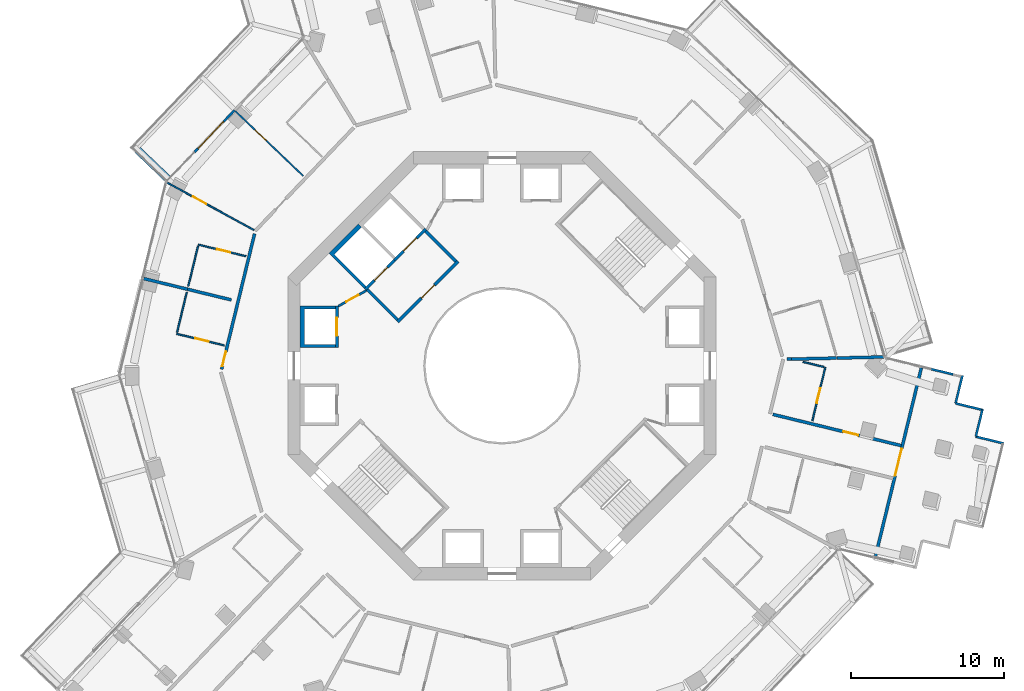
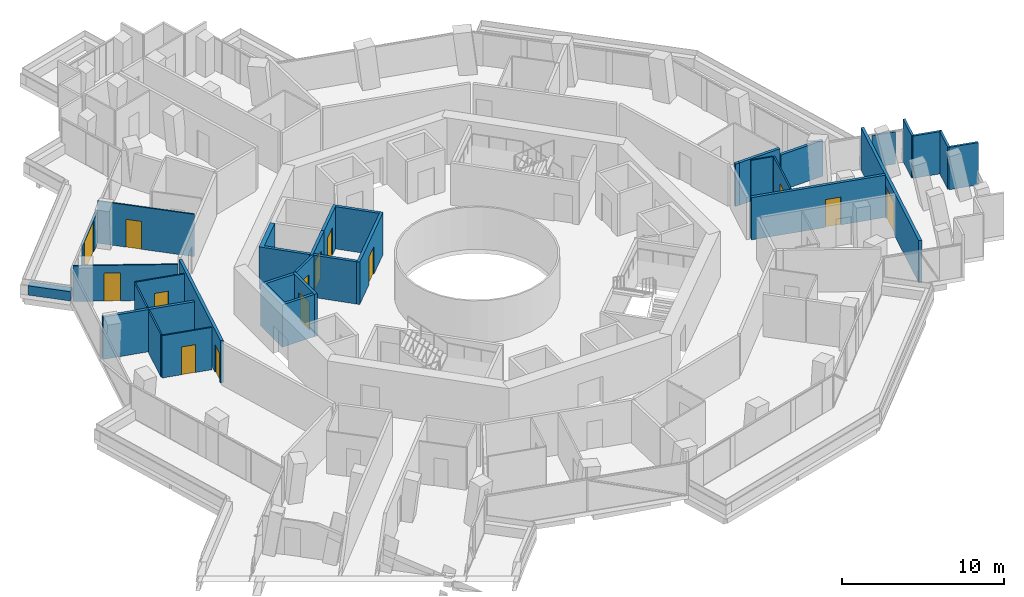
# One storey, part 20 of 25: 32 walls, 14 doors, 14 openings.
"""IFC4 building model written with IfcOpenShell, lengths in metres."""

from ifc_helpers import new_model, si_unit, direction, frame, frame_2d, origin, place, context, subcontext, project, spatial, polyline, rectangle, outline, extrude, material, layer, layer_set, type_object, element, fill, save


model = new_model("IFC4")

# Units and contexts
model_context = context("Model", 3, precision=1e-05, world=origin(), true_north=direction((0.0, 1.0)))
body_context = subcontext(model_context, "Body", "Model", "MODEL_VIEW")
ifc_project = project(units=[si_unit("LENGTHUNIT", "METRE"), si_unit("AREAUNIT", "SQUARE_METRE"), si_unit("VOLUMEUNIT", "CUBIC_METRE"), si_unit("PLANEANGLEUNIT", "RADIAN"), si_unit("MASSUNIT", "GRAM", prefix="KILO")], contexts=[model_context])

# Site, building, storey
site_placement = place(None, origin())
site = spatial("IfcSite", under=ifc_project, at=site_placement, CompositionType="ELEMENT")
building_placement = place(site_placement, origin())
building = spatial("IfcBuilding", under=site, at=building_placement, Name="Verdalira Terraces Hotel", CompositionType="ELEMENT")
storey_placement = place(building_placement, frame((0.0, 0.0, 100.0)))
storey = spatial("IfcBuildingStorey", under=building, at=storey_placement, Name="L23", CompositionType="ELEMENT", Elevation=100.0)

# Walls
ifc_material_1 = material(Name="Concrete C40", Category="concrete")
ifc_layer_1 = layer(ifc_material_1, 0.5)
ifc_layer_set_1 = layer_set([ifc_layer_1], Name="Balcony planter trough with tree")
wall_type_1 = type_object("IfcWallType", Name="Balcony planter trough with tree", PredefinedType="SOLIDWALL", material=ifc_layer_set_1)
wall_1_placement = place(storey_placement, frame((-23.812988, 14.098145, 0.0), z_axis=(0.0, 0.0, 1.0), x_axis=(0.723201505, -0.690637085, 0.0)))
element("IfcWall", 1, at=wall_1_placement, inside=storey, type_object=wall_type_1, Name="Balcony planter", PredefinedType="SOLIDWALL", context=body_context, shape_type="SweptSolid", body=[
    extrude(rectangle(XDim=2.698975, YDim=0.5, at=frame_2d((1.349609, 0.0))), origin(), (0.0, 0.0, 1.0), 0.699951),
])
ifc_material_2 = material(Name="Moisture-resistant gypsum board partition")
ifc_layer_2 = layer(ifc_material_2, 0.10009765625)
ifc_layer_set_2 = layer_set([ifc_layer_2], Name="Bathroom partition 100 mm")
wall_type_2 = type_object("IfcWallType", Name="Bathroom partition 100 mm", PredefinedType="PARTITIONING", material=ifc_layer_set_2)
wall_2_placement = place(storey_placement, frame((-21.243896, 2.186279, 0.0), z_axis=(0.0, 0.0, 1.0), x_axis=(0.23646695, 0.971639533, 0.0)))
element("IfcWall", 2, at=wall_2_placement, inside=storey, type_object=wall_type_2, Name="Bathroom partition", PredefinedType="PARTITIONING", context=body_context, shape_type="SweptSolid", body=[
    extrude(rectangle(XDim=2.699951, YDim=0.100098, at=frame_2d((1.350098, 0.0))), origin(), (0.0, 0.0, 1.0), 3.189941),
])
wall_3_placement = place(storey_placement, frame((-19.872314, 7.821777, 0.0), z_axis=(0.0, 0.0, 1.0), x_axis=(-0.236446175, -0.971644588, 0.0)))
element("IfcWall", 3, at=wall_3_placement, inside=storey, type_object=wall_type_2, Name="Bathroom partition", PredefinedType="PARTITIONING", context=body_context, shape_type="SweptSolid", body=[
    extrude(rectangle(XDim=2.700195, YDim=0.100098, at=frame_2d((1.350098, 0.0))), origin(), (0.0, 0.0, 1.0), 3.189941),
])

# Wall, opening, door
wall_4_placement = place(storey_placement, frame((-21.267578, 2.089111, 0.0), z_axis=(0.0, 0.0, 1.0), x_axis=(0.971627336, -0.236517059, 0.0)))
wall_4 = element("IfcWall", 4, at=wall_4_placement, inside=storey, type_object=wall_type_2, Name="Bathroom partition", PredefinedType="PARTITIONING", context=body_context, shape_type="SweptSolid", body=[
    extrude(rectangle(XDim=3.199951, YDim=0.100098, at=frame_2d((1.600098, 0.0))), origin(), (0.0, 0.0, 1.0), 3.189941),
])
opening_1_placement = place(wall_4_placement, frame((1.25, 0.0, 0.0)))
opening_1 = element("IfcOpeningElement", 5, at=opening_1_placement, cuts=wall_4, Name="Opening L23-112", PredefinedType="OPENING", context=body_context, shape_type="SweptSolid", body=[
    extrude(rectangle(XDim=0.899902, YDim=2.100098, at=frame_2d((0.449951, 1.050049))), frame((0.0, 0.060059, 0.0), z_axis=(0.0, -1.0, 0.0), x_axis=(1.0, 0.0, 0.0)), (0.0, 0.0, 1.0), 0.120117),
])
ifc_material_3 = material(Name="Timber door", Category="wood")
door_type_1 = type_object("IfcDoorType", Name="Bathroom door 900 x 2100", OperationType="NOTDEFINED", PredefinedType="DOOR", material=ifc_material_3)
door_1_placement = place(opening_1_placement, origin())
door_1 = element("IfcDoor", 6, at=door_1_placement, inside=storey, type_object=door_type_1, Name="Bathroom door 2304", OperationType="SINGLE_SWING_LEFT", OverallHeight=2.10009765625, OverallWidth=0.89990234375, PredefinedType="DOOR", context=body_context, shape_type="SweptSolid", body=[
    extrude(rectangle(XDim=0.899902, YDim=2.100098, at=frame_2d((0.449951, 1.050049))), frame((0.0, 0.024902, 0.0), z_axis=(0.0, -1.0, 0.0), x_axis=(1.0, 0.0, 0.0)), (0.0, 0.0, 1.0), 0.050049),
])
fill(opening_1, door_1)

wall_5_placement = place(storey_placement, frame((-16.739502, 7.162109, 0.0), z_axis=(0.0, 0.0, 1.0), x_axis=(-0.971644867, 0.236445029, 0.0)))
wall_5 = element("IfcWall", 7, at=wall_5_placement, inside=storey, type_object=wall_type_2, Name="Bathroom partition", PredefinedType="PARTITIONING", context=body_context, shape_type="SweptSolid", body=[
    extrude(rectangle(XDim=3.199951, YDim=0.100098, at=frame_2d((1.600098, 0.0))), origin(), (0.0, 0.0, 1.0), 3.189941),
])
opening_2_placement = place(wall_5_placement, frame((1.050049, 0.0, 0.0)))
opening_2 = element("IfcOpeningElement", 8, at=opening_2_placement, cuts=wall_5, Name="Opening L23-110", PredefinedType="OPENING", context=body_context, shape_type="SweptSolid", body=[
    extrude(rectangle(XDim=0.899902, YDim=2.100098, at=frame_2d((0.449951, 1.050049))), frame((0.0, 0.060059, 0.0), z_axis=(0.0, -1.0, 0.0), x_axis=(1.0, 0.0, 0.0)), (0.0, 0.0, 1.0), 0.120117),
])
door_2_placement = place(opening_2_placement, origin())
door_2 = element("IfcDoor", 9, at=door_2_placement, inside=storey, type_object=door_type_1, Name="Bathroom door 2303", OperationType="SINGLE_SWING_RIGHT", OverallHeight=2.10009765625, OverallWidth=0.89990234375, PredefinedType="DOOR", context=body_context, shape_type="SweptSolid", body=[
    extrude(rectangle(XDim=0.899902, YDim=2.100098, at=frame_2d((0.449951, 1.050049))), frame((0.0, 0.024902, 0.0), z_axis=(0.0, -1.0, 0.0), x_axis=(1.0, 0.0, 0.0)), (0.0, 0.0, 1.0), 0.050049),
])
fill(opening_2, door_2)

wall_6_placement = place(storey_placement, frame((-17.435303, 16.649902, 0.0), z_axis=(0.0, 0.0, 1.0), x_axis=(0.723214934, -0.690623022, 0.0)))
wall_6 = element("IfcWall", 10, at=wall_6_placement, inside=storey, type_object=wall_type_2, Name="Bathroom partition", PredefinedType="PARTITIONING", context=body_context, shape_type="SweptSolid", body=[
    extrude(rectangle(XDim=6.149902, YDim=0.100098, at=frame_2d((3.074951, 0.0))), origin(), (0.0, 0.0, 1.0), 3.189941),
])
opening_3_placement = place(wall_6_placement, frame((1.800049, 0.0, 0.0)))
opening_3 = element("IfcOpeningElement", 11, at=opening_3_placement, cuts=wall_6, Name="Opening L23-107", PredefinedType="OPENING", context=body_context, shape_type="SweptSolid", body=[
    extrude(rectangle(XDim=1.0, YDim=2.100098, at=frame_2d((0.5, 1.050049))), frame((0.0, 0.060059, 0.0), z_axis=(0.0, -1.0, 0.0), x_axis=(1.0, 0.0, 0.0)), (0.0, 0.0, 1.0), 0.120117),
])
ifc_material_4 = material(Name="Timber door", Category="wood")
door_type_2 = type_object("IfcDoorType", Name="Suite internal door 1000 x 2100", OperationType="NOTDEFINED", PredefinedType="DOOR", material=ifc_material_4)
door_3_placement = place(opening_3_placement, origin())
door_3 = element("IfcDoor", 12, at=door_3_placement, inside=storey, type_object=door_type_2, Name="Suite internal door 2303", OperationType="SINGLE_SWING_LEFT", OverallHeight=2.10009765625, OverallWidth=1.0, PredefinedType="DOOR", context=body_context, shape_type="SweptSolid", body=[
    extrude(rectangle(XDim=1.0, YDim=2.100098, at=frame_2d((0.5, 1.050049))), frame((0.0, 0.024902, 0.0), z_axis=(0.0, -1.0, 0.0), x_axis=(1.0, 0.0, 0.0)), (0.0, 0.0, 1.0), 0.050049),
])
fill(opening_3, door_3)

# Wall
wall_7_placement = place(storey_placement, frame((19.677979, 0.253418, 0.0), z_axis=(0.0, 0.0, 1.0), x_axis=(0.971623162, -0.236534205, 0.0)))
element("IfcWall", 13, at=wall_7_placement, inside=storey, type_object=wall_type_2, Name="Bathroom partition", PredefinedType="PARTITIONING", context=body_context, shape_type="SweptSolid", body=[
    extrude(rectangle(XDim=1.398682, YDim=0.100098, at=frame_2d((0.699219, 0.0))), origin(), (0.0, 0.0, 1.0), 3.189941),
])

# Wall, opening, door
wall_8_placement = place(storey_placement, frame((20.282715, -3.598877, 0.0), z_axis=(0.0, 0.0, 1.0), x_axis=(0.236483098, 0.971635603, 0.0)))
wall_8 = element("IfcWall", 14, at=wall_8_placement, inside=storey, type_object=wall_type_2, Name="Bathroom partition", PredefinedType="PARTITIONING", context=body_context, shape_type="SweptSolid", body=[
    extrude(rectangle(XDim=3.599854, YDim=0.100098, at=frame_2d((1.799805, 0.0))), origin(), (0.0, 0.0, 1.0), 3.189941),
])
opening_4_placement = place(wall_8_placement, frame((1.199951, 0.0, 0.0)))
opening_4 = element("IfcOpeningElement", 15, at=opening_4_placement, cuts=wall_8, Name="Opening L23-131", PredefinedType="OPENING", context=body_context, shape_type="SweptSolid", body=[
    extrude(rectangle(XDim=1.0, YDim=2.100098, at=frame_2d((0.5, 1.050049))), frame((0.0, 0.060059, 0.0), z_axis=(0.0, -1.0, 0.0), x_axis=(1.0, 0.0, 0.0)), (0.0, 0.0, 1.0), 0.120117),
])
ifc_material_5 = material(Name="Timber door", Category="wood")
door_type_3 = type_object("IfcDoorType", Name="Bathroom door 1000 x 2100", OperationType="NOTDEFINED", PredefinedType="DOOR", material=ifc_material_5)
door_4_placement = place(opening_4_placement, origin())
door_4 = element("IfcDoor", 16, at=door_4_placement, inside=storey, type_object=door_type_3, Name="Bathroom door 2312", OperationType="SINGLE_SWING_RIGHT", OverallHeight=2.10009765625, OverallWidth=1.0, PredefinedType="DOOR", context=body_context, shape_type="SweptSolid", body=[
    extrude(rectangle(XDim=1.0, YDim=2.100098, at=frame_2d((0.5, 1.050049))), frame((0.0, 0.024902, 0.0), z_axis=(0.0, -1.0, 0.0), x_axis=(1.0, 0.0, 0.0)), (0.0, 0.0, 1.0), 0.050049),
])
fill(opening_4, door_4)

ifc_material_6 = material(Name="Moisture-resistant gypsum board partition")
ifc_layer_3 = layer(ifc_material_6, 0.10009765625)
ifc_layer_set_3 = layer_set([ifc_layer_3], Name="Bathroom partition 100 mm to beam soffit")
wall_type_3 = type_object("IfcWallType", Name="Bathroom partition 100 mm to beam soffit", PredefinedType="PARTITIONING", material=ifc_layer_set_3)
wall_9_placement = place(storey_placement, frame((-16.219971, 8.872803, 0.0), z_axis=(0.0, 0.0, 1.0), x_axis=(-0.877312858, 0.479918898, 0.0)))
wall_9 = element("IfcWall", 17, at=wall_9_placement, inside=storey, type_object=wall_type_3, Name="Bathroom partition", PredefinedType="PARTITIONING", context=body_context, shape_type="SweptSolid", body=[
    extrude(rectangle(XDim=6.47583, YDim=0.100098, at=frame_2d((3.237793, 0.0))), origin(), (0.0, 0.0, 1.0), 2.689941),
])
opening_5_placement = place(wall_9_placement, frame((3.550049, 0.0, 0.0)))
opening_5 = element("IfcOpeningElement", 18, at=opening_5_placement, cuts=wall_9, Name="Opening L23-108", PredefinedType="OPENING", context=body_context, shape_type="SweptSolid", body=[
    extrude(rectangle(XDim=1.0, YDim=2.100098, at=frame_2d((0.5, 1.050049))), frame((0.0, 0.060059, 0.0), z_axis=(0.0, -1.0, 0.0), x_axis=(1.0, 0.0, 0.0)), (0.0, 0.0, 1.0), 0.120117),
])
door_5_placement = place(opening_5_placement, origin())
door_5 = element("IfcDoor", 19, at=door_5_placement, inside=storey, type_object=door_type_2, Name="Suite internal door 2303", OperationType="SINGLE_SWING_LEFT", OverallHeight=2.10009765625, OverallWidth=1.0, PredefinedType="DOOR", context=body_context, shape_type="SweptSolid", body=[
    extrude(rectangle(XDim=1.0, YDim=2.100098, at=frame_2d((0.5, 1.050049))), frame((0.0, 0.024902, 0.0), z_axis=(0.0, -1.0, 0.0), x_axis=(1.0, 0.0, 0.0)), (0.0, 0.0, 1.0), 0.050049),
])
fill(opening_5, door_5)

# Wall
ifc_material_7 = material(Name="Concrete C50", Category="concrete")
ifc_layer_4 = layer(ifc_material_7, 0.199951171875)
ifc_layer_set_4 = layer_set([ifc_layer_4], Name="Core RC wall 200 C50")
wall_type_4 = type_object("IfcWallType", Name="Core RC wall 200 C50", PredefinedType="SOLIDWALL", material=ifc_layer_set_4)
wall_10_placement = place(storey_placement, origin())
element("IfcWall", 20, at=wall_10_placement, inside=storey, type_object=wall_type_4, Name="L23 shaft wall W1", PredefinedType="SOLIDWALL", context=body_context, shape_type="SweptSolid", body=[
    extrude(outline(polyline([(-13.199951, 3.899902), (-10.899902, 3.899902), (-10.899902, 3.699951), (-12.899902, 3.699951), (-12.899902, 1.399902), (-10.899902, 1.399902), (-10.899902, 1.199951), (-13.199951, 1.199951), (-13.199951, 3.899902)])), origin(), (0.0, 0.0, 1.0), 3.189941),
])

# Wall, opening, door
wall_11_placement = place(storey_placement, frame((-10.800049, 1.199951, 0.0), z_axis=(0.0, 0.0, 1.0), x_axis=(0.0, 1.0, 0.0)))
wall_11 = element("IfcWall", 21, at=wall_11_placement, inside=storey, type_object=wall_type_4, Name="L23 shaft front wall W1", PredefinedType="SOLIDWALL", context=body_context, shape_type="SweptSolid", body=[
    extrude(rectangle(XDim=2.699951, YDim=0.199951, at=frame_2d((1.350098, 0.0))), origin(), (0.0, 0.0, 1.0), 3.189941),
])
opening_6_placement = place(wall_11_placement, frame((0.75, 0.0, 0.0)))
opening_6 = element("IfcOpeningElement", 22, at=opening_6_placement, cuts=wall_11, Name="Opening LD-L23-805", PredefinedType="OPENING", context=body_context, shape_type="SweptSolid", body=[
    extrude(rectangle(XDim=1.199951, YDim=2.100098, at=frame_2d((0.600098, 1.050049))), frame((0.0, 0.109863, 0.0), z_axis=(0.0, -1.0, 0.0), x_axis=(1.0, 0.0, 0.0)), (0.0, 0.0, 1.0), 0.219971),
])
ifc_material_8 = material(Name="Stainless steel", Category="steel")
door_type_4 = type_object("IfcDoorType", Name="Landing door 1200 x 2100", OperationType="NOTDEFINED", PredefinedType="DOOR", material=ifc_material_8)
door_6_placement = place(opening_6_placement, origin())
door_6 = element("IfcDoor", 23, at=door_6_placement, inside=storey, type_object=door_type_4, Name="Lift landing door LR5 L23", OperationType="DOUBLE_DOOR_SLIDING", OverallHeight=2.10009765625, OverallWidth=1.199951171875, PredefinedType="DOOR", context=body_context, shape_type="SweptSolid", body=[
    extrude(rectangle(XDim=1.199951, YDim=2.100098, at=frame_2d((0.600098, 1.050049))), frame((0.0, 0.024902, 0.0), z_axis=(0.0, -1.0, 0.0), x_axis=(1.0, 0.0, 0.0)), (0.0, 0.0, 1.0), 0.050049),
])
fill(opening_6, door_6)

wall_12_placement = place(storey_placement, frame((-4.985107, 8.944824, 0.0), z_axis=(0.0, 0.0, 1.0), x_axis=(-0.707106781, -0.707106781, 0.0)))
wall_12 = element("IfcWall", 24, at=wall_12_placement, inside=storey, type_object=wall_type_4, Name="L23 shaft front wall F1", PredefinedType="SOLIDWALL", context=body_context, shape_type="SweptSolid", body=[
    extrude(rectangle(XDim=2.899902, YDim=0.199951, at=frame_2d((1.449951, 0.0))), origin(), (0.0, 0.0, 1.0), 3.189941),
])
opening_7_placement = place(wall_12_placement, frame((0.850098, 0.0, 0.0)))
opening_7 = element("IfcOpeningElement", 25, at=opening_7_placement, cuts=wall_12, Name="Opening LD-L23-807", PredefinedType="OPENING", context=body_context, shape_type="SweptSolid", body=[
    extrude(rectangle(XDim=1.199951, YDim=2.100098, at=frame_2d((0.600098, 1.050049))), frame((0.0, 0.109863, 0.0), z_axis=(0.0, -1.0, 0.0), x_axis=(1.0, 0.0, 0.0)), (0.0, 0.0, 1.0), 0.219971),
])
door_7_placement = place(opening_7_placement, origin())
door_7 = element("IfcDoor", 26, at=door_7_placement, inside=storey, type_object=door_type_4, Name="Lift landing door LF11 L23", OperationType="DOUBLE_DOOR_SLIDING", OverallHeight=2.10009765625, OverallWidth=1.199951171875, PredefinedType="DOOR", context=body_context, shape_type="SweptSolid", body=[
    extrude(rectangle(XDim=1.199951, YDim=2.100098, at=frame_2d((0.600098, 1.050049))), frame((0.0, 0.024902, 0.0), z_axis=(0.0, -1.0, 0.0), x_axis=(1.0, 0.0, 0.0)), (0.0, 0.0, 1.0), 0.050049),
])
fill(opening_7, door_7)

# Wall
wall_13_placement = place(storey_placement, origin())
element("IfcWall", 27, at=wall_13_placement, inside=storey, type_object=wall_type_4, Name="L23 shaft wall F2", PredefinedType="SOLIDWALL", context=body_context, shape_type="SweptSolid", body=[
    extrude(outline(polyline([(-11.313721, 7.354004), (-9.404541, 9.263184), (-9.192383, 9.051025), (-10.960205, 7.283203), (-8.874268, 5.197266), (-9.015625, 5.055908), (-11.313721, 7.354004)])), origin(), (0.0, 0.0, 1.0), 3.189941),
])

# Wall, opening, door
wall_14_placement = place(storey_placement, frame((-7.035645, 6.894287, 0.0), z_axis=(0.0, 0.0, 1.0), x_axis=(-0.707106781, -0.707106781, 0.0)))
wall_14 = element("IfcWall", 28, at=wall_14_placement, inside=storey, type_object=wall_type_4, Name="L23 shaft front wall F2", PredefinedType="SOLIDWALL", context=body_context, shape_type="SweptSolid", body=[
    extrude(rectangle(XDim=2.699951, YDim=0.199951, at=frame_2d((1.350098, 0.0))), origin(), (0.0, 0.0, 1.0), 3.189941),
])
opening_8_placement = place(wall_14_placement, frame((0.649902, 0.0, 0.0)))
opening_8 = element("IfcOpeningElement", 29, at=opening_8_placement, cuts=wall_14, Name="Opening LD-L23-808", PredefinedType="OPENING", context=body_context, shape_type="SweptSolid", body=[
    extrude(rectangle(XDim=1.199951, YDim=2.100098, at=frame_2d((0.600098, 1.050049))), frame((0.0, 0.109863, 0.0), z_axis=(0.0, -1.0, 0.0), x_axis=(1.0, 0.0, 0.0)), (0.0, 0.0, 1.0), 0.219971),
])
door_8_placement = place(opening_8_placement, origin())
door_8 = element("IfcDoor", 30, at=door_8_placement, inside=storey, type_object=door_type_4, Name="Lift landing door LF12 L23", OperationType="DOUBLE_DOOR_SLIDING", OverallHeight=2.10009765625, OverallWidth=1.199951171875, PredefinedType="DOOR", context=body_context, shape_type="SweptSolid", body=[
    extrude(rectangle(XDim=1.199951, YDim=2.100098, at=frame_2d((0.600098, 1.050049))), frame((0.0, 0.024902, 0.0), z_axis=(0.0, -1.0, 0.0), x_axis=(1.0, 0.0, 0.0)), (0.0, 0.0, 1.0), 0.050049),
])
fill(opening_8, door_8)

wall_15_placement = place(storey_placement, frame((-2.86377, 6.823486, 0.0), z_axis=(0.0, 0.0, 1.0), x_axis=(-0.707106781, -0.707106781, 0.0)))
wall_15 = element("IfcWall", 31, at=wall_15_placement, inside=storey, type_object=wall_type_4, Name="L23 fire lobby wall", PredefinedType="SOLIDWALL", context=body_context, shape_type="SweptSolid", body=[
    extrude(rectangle(XDim=5.599854, YDim=0.199951, at=frame_2d((2.799805, 0.0))), origin(), (0.0, 0.0, 1.0), 3.189941),
])
opening_9_placement = place(wall_15_placement, frame((2.199951, 0.0, 0.0)))
opening_9 = element("IfcOpeningElement", 32, at=opening_9_placement, cuts=wall_15, Name="Opening L23-819", PredefinedType="OPENING", context=body_context, shape_type="SweptSolid", body=[
    extrude(rectangle(XDim=1.199951, YDim=2.100098, at=frame_2d((0.600098, 1.050049))), frame((0.0, 0.109863, 0.0), z_axis=(0.0, -1.0, 0.0), x_axis=(1.0, 0.0, 0.0)), (0.0, 0.0, 1.0), 0.219971),
])
ifc_material_9 = material(Name="Steel fire door", Category="steel")
door_type_5 = type_object("IfcDoorType", Name="Lobby door 1200 x 2100", OperationType="NOTDEFINED", PredefinedType="DOOR", material=ifc_material_9)
door_9_placement = place(opening_9_placement, origin())
door_9 = element("IfcDoor", 33, at=door_9_placement, inside=storey, type_object=door_type_5, Name="Fire lobby door L23", OperationType="SINGLE_SWING_LEFT", OverallHeight=2.10009765625, OverallWidth=1.199951171875, PredefinedType="DOOR", context=body_context, shape_type="SweptSolid", body=[
    extrude(rectangle(XDim=1.199951, YDim=2.100098, at=frame_2d((0.600098, 1.050049))), frame((0.0, 0.024902, 0.0), z_axis=(0.0, -1.0, 0.0), x_axis=(1.0, 0.0, 0.0)), (0.0, 0.0, 1.0), 0.050049),
])
fill(opening_9, door_9)

# Walls
for number, where, z_axis, x_axis, name in (
    (34, (-3.005127, 6.823486, 0.0), (0.0, 0.0, 1.0), (-0.707106781, 0.707106781, 0.0), "L23 fire lobby wall"),
    (35, (-6.823486, 3.005127, 0.0), (0.0, 0.0, 1.0), (-0.707106781, 0.707106781, 0.0), "L23 fire lobby wall"),
):
    element("IfcWall", number, at=place(storey_placement, frame(where, z_axis=z_axis, x_axis=x_axis)), inside=storey, type_object=wall_type_4, Name=name, PredefinedType="SOLIDWALL", context=body_context, shape_type="SweptSolid", body=[
        extrude(rectangle(XDim=2.800049, YDim=0.199951, at=frame_2d((1.399902, 0.0))), origin(), (0.0, 0.0, 1.0), 3.189941),
    ])

# Wall, opening, door
ifc_material_10 = material(Name="Gypsum board partition")
ifc_layer_5 = layer(ifc_material_10, 0.14990234375)
ifc_layer_set_5 = layer_set([ifc_layer_5], Name="Core partition 150 mm")
wall_type_5 = type_object("IfcWallType", Name="Core partition 150 mm", PredefinedType="PARTITIONING", material=ifc_layer_set_5)
wall_16_placement = place(storey_placement, frame((-8.874268, 4.914307, 0.0), z_axis=(0.0, 0.0, 1.0), x_axis=(-0.874129705, -0.485692555, 0.0)))
wall_16 = element("IfcWall", 36, at=wall_16_placement, inside=storey, type_object=wall_type_5, Name="Room partition L23", PredefinedType="PARTITIONING", context=body_context, shape_type="SweptSolid", body=[
    extrude(rectangle(XDim=2.088623, YDim=0.149902, at=frame_2d((1.044434, 0.0))), origin(), (0.0, 0.0, 1.0), 3.189941),
])
opening_10_placement = place(wall_16_placement, frame((0.594238, 0.0, 0.0)))
opening_10 = element("IfcOpeningElement", 37, at=opening_10_placement, cuts=wall_16, Name="Opening L23-821", PredefinedType="OPENING", context=body_context, shape_type="SweptSolid", body=[
    extrude(rectangle(XDim=0.899902, YDim=2.100098, at=frame_2d((0.449951, 1.050049))), frame((0.0, 0.084961, 0.0), z_axis=(0.0, -1.0, 0.0), x_axis=(1.0, 0.0, 0.0)), (0.0, 0.0, 1.0), 0.169922),
])
ifc_material_11 = material(Name="Steel fire door", Category="steel")
door_type_6 = type_object("IfcDoorType", Name="Core room door 900 x 2100", OperationType="NOTDEFINED", PredefinedType="DOOR", material=ifc_material_11)
door_10_placement = place(opening_10_placement, origin())
door_10 = element("IfcDoor", 38, at=door_10_placement, inside=storey, type_object=door_type_6, Name="Door L23 room3", OperationType="SINGLE_SWING_LEFT", OverallHeight=2.10009765625, OverallWidth=0.89990234375, PredefinedType="DOOR", context=body_context, shape_type="SweptSolid", body=[
    extrude(rectangle(XDim=0.899902, YDim=2.100098, at=frame_2d((0.449951, 1.050049))), frame((0.0, 0.024902, 0.0), z_axis=(0.0, -1.0, 0.0), x_axis=(1.0, 0.0, 0.0)), (0.0, 0.0, 1.0), 0.050049),
])
fill(opening_10, door_10)

# Walls
ifc_material_12 = material(Name="Fire-rated gypsum board wall")
ifc_layer_6 = layer(ifc_material_12, 0.199951171875)
ifc_layer_set_6 = layer_set([ifc_layer_6], Name="Demising wall 200 mm")
wall_type_6 = type_object("IfcWallType", Name="Demising wall 200 mm", PredefinedType="SOLIDWALL", material=ifc_layer_set_6)
wall_17_placement = place(storey_placement, frame((-20.558105, 5.003906, 0.0), z_axis=(0.0, 0.0, 1.0), x_axis=(-0.971623409, 0.236533194, 0.0)))
element("IfcWall", 39, at=wall_17_placement, inside=storey, type_object=wall_type_6, Name="Demising wall", PredefinedType="SOLIDWALL", context=body_context, shape_type="SweptSolid", body=[
    extrude(rectangle(XDim=2.949951, YDim=0.199951, at=frame_2d((1.475098, 0.0))), origin(), (0.0, 0.0, 1.0), 3.189941),
])
wall_18_placement = place(storey_placement, frame((-17.689209, 4.305664, 0.0), z_axis=(0.0, 0.0, 1.0), x_axis=(-0.971636288, 0.236480281, 0.0)))
element("IfcWall", 40, at=wall_18_placement, inside=storey, type_object=wall_type_6, Name="Demising wall", PredefinedType="SOLIDWALL", context=body_context, shape_type="SweptSolid", body=[
    extrude(rectangle(XDim=2.952637, YDim=0.199951, at=frame_2d((1.476318, 0.0))), origin(), (0.0, 0.0, 1.0), 3.189941),
])
wall_19_placement = place(storey_placement, frame((18.626221, 0.429199, 0.0), z_axis=(0.0, 0.0, 1.0), x_axis=(0.999741836, 0.022721405, 0.0)))
element("IfcWall", 41, at=wall_19_placement, inside=storey, type_object=wall_type_6, Name="Demising wall", PredefinedType="SOLIDWALL", context=body_context, shape_type="SweptSolid", body=[
    extrude(rectangle(XDim=0.300781, YDim=0.199951, at=frame_2d((0.150391, 0.0))), origin(), (0.0, 0.0, 1.0), 3.189941),
])
wall_20_placement = place(storey_placement, frame((18.927002, 0.436035, 0.0), z_axis=(0.0, 0.0, 1.0), x_axis=(0.999734545, 0.023039974, 0.0)))
element("IfcWall", 42, at=wall_20_placement, inside=storey, type_object=wall_type_6, Name="Demising wall", PredefinedType="SOLIDWALL", context=body_context, shape_type="SweptSolid", body=[
    extrude(rectangle(XDim=2.924561, YDim=0.199951, at=frame_2d((1.462402, 0.0))), origin(), (0.0, 0.0, 1.0), 3.189941),
])
ifc_material_13 = material(Name="Fire-rated gypsum board wall")
ifc_layer_7 = layer(ifc_material_13, 0.199951171875)
ifc_layer_set_7 = layer_set([ifc_layer_7], Name="Demising wall 200 mm to beam soffit")
wall_type_7 = type_object("IfcWallType", Name="Demising wall 200 mm to beam soffit", PredefinedType="SOLIDWALL", material=ifc_layer_set_7)
wall_21_placement = place(storey_placement, frame((21.896729, 0.504639, 0.0), z_axis=(0.0, 0.0, 1.0), x_axis=(0.999734414, 0.023045645, 0.0)))
element("IfcWall", 43, at=wall_21_placement, inside=storey, type_object=wall_type_7, Name="Demising wall", PredefinedType="SOLIDWALL", context=body_context, shape_type="SweptSolid", body=[
    extrude(rectangle(XDim=3.061523, YDim=0.199951, at=frame_2d((1.530762, 0.0))), origin(), (0.0, 0.0, 1.0), 2.689941),
])

# Wall, opening, door
ifc_material_14 = material(Name="Fire-rated gypsum board wall")
ifc_layer_8 = layer(ifc_material_14, 0.199951171875)
ifc_layer_set_8 = layer_set([ifc_layer_8], Name="Guest corridor wall 200 mm")
wall_type_8 = type_object("IfcWallType", Name="Guest corridor wall 200 mm", PredefinedType="SOLIDWALL", material=ifc_layer_set_8)
wall_22_placement = place(storey_placement, frame((-18.33252, -0.22876, 0.0), z_axis=(0.0, 0.0, 1.0), x_axis=(0.236500551, 0.971631355, 0.0)))
wall_22 = element("IfcWall", 44, at=wall_22_placement, inside=storey, type_object=wall_type_8, Name="Guest corridor wall", PredefinedType="SOLIDWALL", context=body_context, shape_type="SweptSolid", body=[
    extrude(rectangle(XDim=9.116211, YDim=0.199951, at=frame_2d((4.558105, 0.0))), origin(), (0.0, 0.0, 1.0), 3.189941),
])
opening_11_placement = place(wall_22_placement, frame((0.199951, 0.0, 0.0)))
opening_11 = element("IfcOpeningElement", 45, at=opening_11_placement, cuts=wall_22, Name="Opening L23-111", PredefinedType="OPENING", context=body_context, shape_type="SweptSolid", body=[
    extrude(rectangle(XDim=1.0, YDim=2.100098, at=frame_2d((0.5, 1.050049))), frame((0.0, 0.109863, 0.0), z_axis=(0.0, -1.0, 0.0), x_axis=(1.0, 0.0, 0.0)), (0.0, 0.0, 1.0), 0.219971),
])
ifc_material_15 = material(Name="Timber fire door", Category="wood")
door_type_7 = type_object("IfcDoorType", Name="Guest entry door 1000 x 2100", OperationType="NOTDEFINED", PredefinedType="DOOR", material=ifc_material_15)
door_11_placement = place(opening_11_placement, origin())
door_11 = element("IfcDoor", 46, at=door_11_placement, inside=storey, type_object=door_type_7, Name="Guest entry door 2304", OperationType="SINGLE_SWING_LEFT", OverallHeight=2.10009765625, OverallWidth=1.0, PredefinedType="DOOR", context=body_context, shape_type="SweptSolid", body=[
    extrude(rectangle(XDim=1.0, YDim=2.100098, at=frame_2d((0.5, 1.050049))), frame((0.0, 0.024902, 0.0), z_axis=(0.0, -1.0, 0.0), x_axis=(1.0, 0.0, 0.0)), (0.0, 0.0, 1.0), 0.050049),
])
fill(opening_11, door_11)

wall_23_placement = place(storey_placement, frame((17.708984, -3.178223, 0.0), z_axis=(0.0, 0.0, 1.0), x_axis=(0.971625261, -0.236525586, 0.0)))
wall_23 = element("IfcWall", 47, at=wall_23_placement, inside=storey, type_object=wall_type_8, Name="Guest corridor wall", PredefinedType="SOLIDWALL", context=body_context, shape_type="SweptSolid", body=[
    extrude(rectangle(XDim=8.628174, YDim=0.199951, at=frame_2d((4.313965, 0.0))), origin(), (0.0, 0.0, 1.0), 3.189941),
])
opening_12_placement = place(wall_23_placement, frame((4.75, 0.0, 0.0)))
opening_12 = element("IfcOpeningElement", 48, at=opening_12_placement, cuts=wall_23, Name="Opening L23-130", PredefinedType="OPENING", context=body_context, shape_type="SweptSolid", body=[
    extrude(rectangle(XDim=1.0, YDim=2.100098, at=frame_2d((0.5, 1.050049))), frame((0.0, 0.109863, 0.0), z_axis=(0.0, -1.0, 0.0), x_axis=(1.0, 0.0, 0.0)), (0.0, 0.0, 1.0), 0.219971),
])
door_12_placement = place(opening_12_placement, origin())
door_12 = element("IfcDoor", 49, at=door_12_placement, inside=storey, type_object=door_type_7, Name="Guest entry door 2312", OperationType="SINGLE_SWING_RIGHT", OverallHeight=2.10009765625, OverallWidth=1.0, PredefinedType="DOOR", context=body_context, shape_type="SweptSolid", body=[
    extrude(rectangle(XDim=1.0, YDim=2.100098, at=frame_2d((0.5, 1.050049))), frame((0.0, 0.024902, 0.0), z_axis=(0.0, -1.0, 0.0), x_axis=(1.0, 0.0, 0.0)), (0.0, 0.0, 1.0), 0.050049),
])
fill(opening_12, door_12)

ifc_material_16 = material(Name="Terracotta cladding", Category="masonry")
ifc_layer_9 = layer(ifc_material_16, 0.199951171875)
ifc_layer_set_9 = layer_set([ifc_layer_9], Name="Loggia back wall 200")
wall_type_9 = type_object("IfcWallType", Name="Loggia back wall 200", PredefinedType="SOLIDWALL", material=ifc_layer_set_9)
wall_24_placement = place(storey_placement, frame((27.411865, -0.136719, 0.0), z_axis=(0.0, 0.0, 1.0), x_axis=(-0.236506093, -0.971630006, 0.0)))
wall_24 = element("IfcWall", 50, at=wall_24_placement, inside=storey, type_object=wall_type_9, Name="Loggia back wall", PredefinedType="SOLIDWALL", context=body_context, shape_type="SweptSolid", body=[
    extrude(rectangle(XDim=12.700195, YDim=0.199951, at=frame_2d((6.350098, 0.0))), origin(), (0.0, 0.0, 1.0), 3.189941),
])
opening_13_placement = place(wall_24_placement, frame((5.449951, 0.0, 0.0)))
opening_13 = element("IfcOpeningElement", 51, at=opening_13_placement, cuts=wall_24, Name="Opening L23-L01", PredefinedType="OPENING", context=body_context, shape_type="SweptSolid", body=[
    extrude(rectangle(XDim=1.800049, YDim=2.399902, at=frame_2d((0.899902, 1.199951))), frame((0.0, 0.109863, 0.0), z_axis=(0.0, -1.0, 0.0), x_axis=(1.0, 0.0, 0.0)), (0.0, 0.0, 1.0), 0.219971),
])
ifc_material_17 = material(Name="Clear glass", Category="glass")
door_type_8 = type_object("IfcDoorType", Name="Garden double door 1800x2400", OperationType="NOTDEFINED", PredefinedType="DOOR", material=ifc_material_17)
door_13_placement = place(opening_13_placement, origin())
door_13 = element("IfcDoor", 52, at=door_13_placement, inside=storey, type_object=door_type_8, Name="Loggia double door", OperationType="DOUBLE_DOOR_SINGLE_SWING", OverallHeight=2.39990234375, OverallWidth=1.800048828125, PredefinedType="DOOR", context=body_context, shape_type="SweptSolid", body=[
    extrude(rectangle(XDim=1.800049, YDim=2.399902, at=frame_2d((0.899902, 1.199951))), frame((0.0, 0.024902, 0.0), z_axis=(0.0, -1.0, 0.0), x_axis=(1.0, 0.0, 0.0)), (0.0, 0.0, 1.0), 0.050049),
])
fill(opening_13, door_13)

# Walls
ifc_material_18 = material(Name="Terracotta cladding", Category="masonry")
ifc_layer_10 = layer(ifc_material_18, 0.14990234375)
ifc_layer_set_10 = layer_set([ifc_layer_10], Name="Terracotta clad wall 150")
wall_type_10 = type_object("IfcWallType", Name="Terracotta clad wall 150", PredefinedType="SOLIDWALL", material=ifc_layer_set_10)
wall_25_placement = place(storey_placement, frame((32.796631, -5.075439, 0.0), z_axis=(0.0, 0.0, 1.0), x_axis=(-0.971610193, 0.236587473, 0.0)))
element("IfcWall", 53, at=wall_25_placement, inside=storey, type_object=wall_type_10, Name="Terracotta cladding wall", PredefinedType="SOLIDWALL", context=body_context, shape_type="SweptSolid", body=[
    extrude(rectangle(XDim=1.875, YDim=0.149902, at=frame_2d((0.9375, 0.0))), origin(), (0.0, 0.0, 1.0), 3.189941),
])
wall_26_placement = place(storey_placement, frame((30.974854, -4.631836, 0.0), z_axis=(0.0, 0.0, 1.0), x_axis=(0.236434651, 0.971647393, 0.0)))
element("IfcWall", 54, at=wall_26_placement, inside=storey, type_object=wall_type_10, Name="Terracotta cladding wall", PredefinedType="SOLIDWALL", context=body_context, shape_type="SweptSolid", body=[
    extrude(rectangle(XDim=1.799805, YDim=0.149902, at=frame_2d((0.899902, 0.0))), origin(), (0.0, 0.0, 1.0), 3.189941),
])
for number, where, z_axis, x_axis, name in (
    (55, (31.473389, -2.900635, 0.0), (0.0, 0.0, 1.0), (-0.971640117, 0.236464547, 0.0), "Terracotta cladding wall"),
    (56, (29.651611, -2.457275, 0.0), (0.0, 0.0, 1.0), (0.236464547, 0.971640117, 0.0), "Terracotta cladding wall"),
):
    element("IfcWall", number, at=place(storey_placement, frame(where, z_axis=z_axis, x_axis=x_axis)), inside=storey, type_object=wall_type_10, Name=name, PredefinedType="SOLIDWALL", context=body_context, shape_type="SweptSolid", body=[
        extrude(rectangle(XDim=1.875, YDim=0.149902, at=frame_2d((0.9375, 0.0))), origin(), (0.0, 0.0, 1.0), 3.189941),
    ])
ifc_material_19 = material(Name="Terracotta cladding", Category="masonry")
ifc_layer_11 = layer(ifc_material_19, 0.14990234375)
ifc_layer_set_11 = layer_set([ifc_layer_11], Name="Terracotta column pier 150")
wall_type_11 = type_object("IfcWallType", Name="Terracotta column pier 150", PredefinedType="SOLIDWALL", material=ifc_layer_set_11)
wall_27_placement = place(storey_placement, frame((29.489502, -0.565186, 0.0), z_axis=(0.0, 0.0, 1.0), x_axis=(-0.971634302, 0.236488442, 0.0)))
element("IfcWall", 57, at=wall_27_placement, inside=storey, type_object=wall_type_11, Name="Terracotta column pier", PredefinedType="SOLIDWALL", context=body_context, shape_type="SweptSolid", body=[
    extrude(rectangle(XDim=1.502197, YDim=0.149902, at=frame_2d((0.750977, 0.0))), origin(), (0.0, 0.0, 1.0), 2.425049),
])

# Wall, opening, door
ifc_material_20 = material(Name="Terracotta cladding", Category="masonry")
ifc_layer_12 = layer(ifc_material_20, 0.14990234375)
ifc_layer_set_12 = layer_set([ifc_layer_12], Name="Terracotta door pier 150")
wall_type_12 = type_object("IfcWallType", Name="Terracotta door pier 150", PredefinedType="SOLIDWALL", material=ifc_layer_set_12)
wall_28_placement = place(storey_placement, frame((-17.489502, 16.70166, 0.0), z_axis=(0.0, 0.0, 1.0), x_axis=(-0.690655886, -0.72318355, 0.0)))
wall_28 = element("IfcWall", 58, at=wall_28_placement, inside=storey, type_object=wall_type_12, Name="Terracotta door pier", PredefinedType="SOLIDWALL", context=body_context, shape_type="SweptSolid", body=[
    extrude(rectangle(XDim=3.835449, YDim=0.149902, at=frame_2d((1.917725, 0.0))), origin(), (0.0, 0.0, 1.0), 2.425049),
])
opening_14_placement = place(wall_28_placement, frame((1.0354, 0.0, 0.0)))
opening_14 = element("IfcOpeningElement", 59, at=opening_14_placement, cuts=wall_28, Name="Opening L23-B05", PredefinedType="OPENING", context=body_context, shape_type="SweptSolid", body=[
    extrude(rectangle(XDim=2.399902, YDim=2.399902, at=frame_2d((1.199951, 1.199951))), frame((0.0, 0.084961, 0.0), z_axis=(0.0, -1.0, 0.0), x_axis=(1.0, 0.0, 0.0)), (0.0, 0.0, 1.0), 0.169922),
])
ifc_material_21 = material(Name="Clear glass", Category="glass")
door_type_9 = type_object("IfcDoorType", Name="Balcony sliding door 2400x2400", OperationType="NOTDEFINED", PredefinedType="DOOR", material=ifc_material_21)
door_14_placement = place(opening_14_placement, origin())
door_14 = element("IfcDoor", 60, at=door_14_placement, inside=storey, type_object=door_type_9, Name="Balcony sliding door", OperationType="SLIDING_TO_LEFT", OverallHeight=2.39990234375, OverallWidth=2.39990234375, PredefinedType="DOOR", context=body_context, shape_type="SweptSolid", body=[
    extrude(rectangle(XDim=2.399902, YDim=2.399902, at=frame_2d((1.199951, 1.199951))), frame((0.0, 0.024902, 0.0), z_axis=(0.0, -1.0, 0.0), x_axis=(1.0, 0.0, 0.0)), (0.0, 0.0, 1.0), 0.050049),
])
fill(opening_14, door_14)

save(model, "model.ifc")
